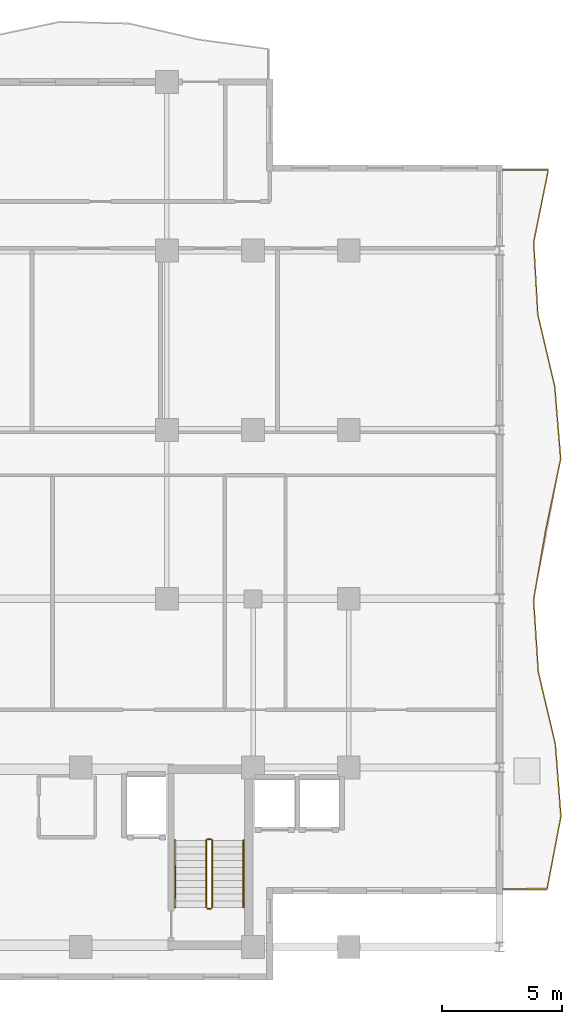
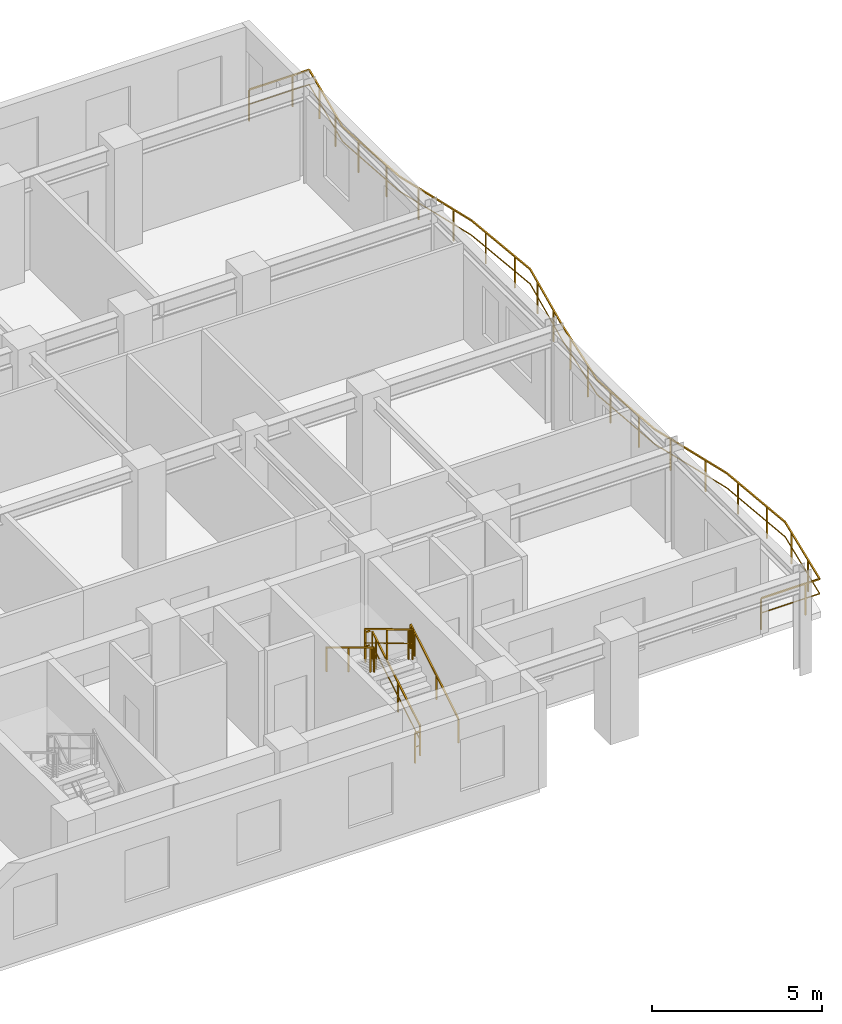
# One storey, part 13 of 14: 7 railings.
"""IFC4 building model written with IfcOpenShell, lengths in metres."""

from ifc_helpers import new_model, si_unit, direction, frame, origin, origin_2d, place, context, subcontext, project, spatial, rectangle, extrude, material, type_object, element, save


model = new_model("IFC4")

# Units and contexts
model_context = context("Model", 3, precision=1e-05, world=origin(), true_north=direction((0.0, 1.0)))
body_context = subcontext(model_context, "Body", "Model", "MODEL_VIEW")
ifc_project = project(units=[si_unit("LENGTHUNIT", "METRE"), si_unit("AREAUNIT", "SQUARE_METRE"), si_unit("VOLUMEUNIT", "CUBIC_METRE"), si_unit("PLANEANGLEUNIT", "RADIAN"), si_unit("MASSUNIT", "GRAM", prefix="KILO")], contexts=[model_context])

# Site, building, storey
site_placement = place(None, origin())
site = spatial("IfcSite", under=ifc_project, at=site_placement, CompositionType="ELEMENT")
building_placement = place(site_placement, origin())
building = spatial("IfcBuilding", under=site, at=building_placement, Name="Kaliganga Portal Commons", CompositionType="ELEMENT")
storey_placement = place(building_placement, frame((0.0, 0.0, 227.699951171875)))
storey = spatial("IfcBuildingStorey", under=building, at=storey_placement, Name="L58", CompositionType="ELEMENT", Elevation=227.699951171875)

# Railings
ifc_material_1 = material(Name="Laminated Safety Glass and Stainless Steel 316", Category="steel")
railing_type_1 = type_object("IfcRailingType", Name="RLG-BAL-1150", PredefinedType="BALUSTRADE", material=ifc_material_1)
railing_1_placement = place(storey_placement, frame((60.708984375, 9.4794921875, 0.0)))
element("IfcRailing", 1, at=railing_1_placement, inside=storey, type_object=railing_type_1, Name="Balcony Guardrail L58 balc_east", PredefinedType="BALUSTRADE", context=body_context, shape_type="SweptSolid", body=[
    extrude(rectangle(XDim=0.048095703125, YDim=0.048095703125, at=origin_2d()), frame((0.0, 0.0, 1.1259765625), z_axis=(0.999999969607, 0.000246548316, 0.0), x_axis=(-0.000246548316, 0.999999969607, 0.0)), (0.0, 0.0, 1.0), 1.98046875),
    extrude(rectangle(XDim=0.028076171875, YDim=0.028076171875, at=origin_2d()), frame((0.0, 0.0, 0.597900390625), z_axis=(0.999999969607, 0.000246548316, 0.0), x_axis=(-0.000246548316, 0.999999969607, 0.0)), (0.0, 0.0, 1.0), 1.98046875),
    extrude(rectangle(XDim=0.048095703125, YDim=0.048095703125, at=origin_2d()), frame((1.98046875, 0.00048828125, 1.1259765625), z_axis=(0.187495259421, 0.98226550774, 0.0), x_axis=(-0.98226550774, 0.187495259421, 0.0)), (0.0, 0.0, 1.0), 3.07421875),
    extrude(rectangle(XDim=0.028076171875, YDim=0.028076171875, at=origin_2d()), frame((1.98046875, 0.00048828125, 0.597900390625), z_axis=(0.187495259421, 0.98226550774, 0.0), x_axis=(-0.98226550774, 0.187495259421, 0.0)), (0.0, 0.0, 1.0), 3.07421875),
    extrude(rectangle(XDim=0.048095703125, YDim=0.048095703125, at=origin_2d()), frame((2.556884765625, 3.020263671875, 1.1259765625), z_axis=(-0.076252687559, 0.997088525478, 0.0), x_axis=(-0.997088525478, -0.076252687559, 0.0)), (0.0, 0.0, 1.0), 3.02880859375),
    extrude(rectangle(XDim=0.028076171875, YDim=0.028076171875, at=origin_2d()), frame((2.556884765625, 3.020263671875, 0.597900390625), z_axis=(-0.076252687559, 0.997088525478, 0.0), x_axis=(-0.997088525478, -0.076252687559, 0.0)), (0.0, 0.0, 1.0), 3.02880859375),
    extrude(rectangle(XDim=0.048095703125, YDim=0.048095703125, at=origin_2d()), frame((2.325927734375, 6.040283203125, 1.1259765625), z_axis=(-0.229797858528, 0.973238379954, 0.0), x_axis=(-0.973238379954, -0.229797858528, 0.0)), (0.0, 0.0, 1.0), 3.103271484375),
    extrude(rectangle(XDim=0.028076171875, YDim=0.028076171875, at=origin_2d()), frame((2.325927734375, 6.040283203125, 0.597900390625), z_axis=(-0.229797858528, 0.973238379954, 0.0), x_axis=(-0.973238379954, -0.229797858528, 0.0)), (0.0, 0.0, 1.0), 3.103271484375),
    extrude(rectangle(XDim=0.048095703125, YDim=0.048095703125, at=origin_2d()), frame((1.61279296875, 9.060546875, 1.1259765625), z_axis=(-0.064864326147, 0.997894092173, 0.0), x_axis=(-0.997894092173, -0.064864326147, 0.0)), (0.0, 0.0, 1.0), 3.026123046875),
    extrude(rectangle(XDim=0.028076171875, YDim=0.028076171875, at=origin_2d()), frame((1.61279296875, 9.060546875, 0.597900390625), z_axis=(-0.064864326147, 0.997894092173, 0.0), x_axis=(-0.997894092173, -0.064864326147, 0.0)), (0.0, 0.0, 1.0), 3.026123046875),
    extrude(rectangle(XDim=0.048095703125, YDim=0.048095703125, at=origin_2d()), frame((1.41650390625, 12.080322265625, 1.1259765625), z_axis=(0.171227240771, 0.985231562638, 0.0), x_axis=(-0.985231562638, 0.171227240771, 0.0)), (0.0, 0.0, 1.0), 2.984375),
    extrude(rectangle(XDim=0.028076171875, YDim=0.028076171875, at=origin_2d()), frame((1.41650390625, 12.080322265625, 0.597900390625), z_axis=(0.171227240771, 0.985231562638, 0.0), x_axis=(-0.985231562638, 0.171227240771, 0.0)), (0.0, 0.0, 1.0), 2.984375),
    extrude(rectangle(XDim=0.048095703125, YDim=0.048095703125, at=origin_2d()), frame((1.927490234375, 15.0205078125, 1.1259765625), z_axis=(0.206002299735, 0.978551507333, 0.0), x_axis=(-0.978551507333, 0.206002299735, 0.0)), (0.0, 0.0, 1.0), 3.0078125),
    extrude(rectangle(XDim=0.028076171875, YDim=0.028076171875, at=origin_2d()), frame((1.927490234375, 15.0205078125, 0.597900390625), z_axis=(0.206002299735, 0.978551507333, 0.0), x_axis=(-0.978551507333, 0.206002299735, 0.0)), (0.0, 0.0, 1.0), 3.0078125),
    extrude(rectangle(XDim=0.048095703125, YDim=0.048095703125, at=origin_2d()), frame((2.547119140625, 17.9638671875, 1.1259765625), z_axis=(-0.080895995771, 0.996722548089, 0.0), x_axis=(-0.996722548089, -0.080895995771, 0.0)), (0.0, 0.0, 1.0), 3.027099609375),
    extrude(rectangle(XDim=0.028076171875, YDim=0.028076171875, at=origin_2d()), frame((2.547119140625, 17.9638671875, 0.597900390625), z_axis=(-0.080895995771, 0.996722548089, 0.0), x_axis=(-0.996722548089, -0.080895995771, 0.0)), (0.0, 0.0, 1.0), 3.027099609375),
    extrude(rectangle(XDim=0.048095703125, YDim=0.048095703125, at=origin_2d()), frame((2.30224609375, 20.98095703125, 1.1259765625), z_axis=(-0.228806813317, 0.973471849711, 0.0), x_axis=(-0.973471849711, -0.228806813317, 0.0)), (0.0, 0.0, 1.0), 3.101806640625),
    extrude(rectangle(XDim=0.028076171875, YDim=0.028076171875, at=origin_2d()), frame((2.30224609375, 20.98095703125, 0.597900390625), z_axis=(-0.228806813317, 0.973471849711, 0.0), x_axis=(-0.973471849711, -0.228806813317, 0.0)), (0.0, 0.0, 1.0), 3.101806640625),
    extrude(rectangle(XDim=0.048095703125, YDim=0.048095703125, at=origin_2d()), frame((1.592529296875, 24.00048828125, 1.1259765625), z_axis=(-0.056900388168, 0.998379860487, 0.0), x_axis=(-0.998379860487, -0.056900388168, 0.0)), (0.0, 0.0, 1.0), 3.02490234375),
    extrude(rectangle(XDim=0.028076171875, YDim=0.028076171875, at=origin_2d()), frame((1.592529296875, 24.00048828125, 0.597900390625), z_axis=(-0.056900388168, 0.998379860487, 0.0), x_axis=(-0.998379860487, -0.056900388168, 0.0)), (0.0, 0.0, 1.0), 3.02490234375),
    extrude(rectangle(XDim=0.048095703125, YDim=0.048095703125, at=origin_2d()), frame((1.42041015625, 27.0205078125, 1.1259765625), z_axis=(0.198172829343, 0.98016709275, 0.0), x_axis=(-0.98016709275, 0.198172829343, 0.0)), (0.0, 0.0, 1.0), 3.0810546875),
    extrude(rectangle(XDim=0.028076171875, YDim=0.028076171875, at=origin_2d()), frame((1.42041015625, 27.0205078125, 0.597900390625), z_axis=(0.198172829343, 0.98016709275, 0.0), x_axis=(-0.98016709275, 0.198172829343, 0.0)), (0.0, 0.0, 1.0), 3.0810546875),
    extrude(rectangle(XDim=0.048095703125, YDim=0.048095703125, at=origin_2d()), frame((2.031005859375, 30.04052734375, 1.1259765625), z_axis=(-0.999999971101, 0.000240413504, 0.0), x_axis=(-0.000240413504, -0.999999971101, 0.0)), (0.0, 0.0, 1.0), 2.031005859375),
    extrude(rectangle(XDim=0.028076171875, YDim=0.028076171875, at=origin_2d()), frame((2.031005859375, 30.04052734375, 0.597900390625), z_axis=(-0.999999971101, 0.000240413504, 0.0), x_axis=(-0.000240413504, -0.999999971101, 0.0)), (0.0, 0.0, 1.0), 2.031005859375),
    extrude(rectangle(XDim=0.0419921875, YDim=0.0419921875, at=origin_2d()), origin(), (0.0, 0.0, 1.0), 1.101806640625),
    extrude(rectangle(XDim=0.0419921875, YDim=0.0419921875, at=origin_2d()), frame((1.5, 0.00048828125, 0.0)), (0.0, 0.0, 1.0), 1.101806640625),
    extrude(rectangle(XDim=0.0419921875, YDim=0.0419921875, at=origin_2d()), frame((2.171630859375, 1.001953125, 0.0)), (0.0, 0.0, 1.0), 1.101806640625),
    extrude(rectangle(XDim=0.0419921875, YDim=0.0419921875, at=origin_2d()), frame((2.452880859375, 2.475341796875, 0.0)), (0.0, 0.0, 1.0), 1.101806640625),
    extrude(rectangle(XDim=0.0419921875, YDim=0.0419921875, at=origin_2d()), frame((2.48486328125, 3.962646484375, 0.0)), (0.0, 0.0, 1.0), 1.101806640625),
    extrude(rectangle(XDim=0.0419921875, YDim=0.0419921875, at=origin_2d()), frame((2.370361328125, 5.45849609375, 0.0)), (0.0, 0.0, 1.0), 1.101806640625),
    extrude(rectangle(XDim=0.0419921875, YDim=0.0419921875, at=origin_2d()), frame((2.115234375, 6.93212890625, 0.0)), (0.0, 0.0, 1.0), 1.101806640625),
    extrude(rectangle(XDim=0.0419921875, YDim=0.0419921875, at=origin_2d()), frame((1.770751953125, 8.39208984375, 0.0)), (0.0, 0.0, 1.0), 1.101806640625),
    extrude(rectangle(XDim=0.0419921875, YDim=0.0419921875, at=origin_2d()), frame((1.56005859375, 9.871826171875, 0.0)), (0.0, 0.0, 1.0), 1.101806640625),
    extrude(rectangle(XDim=0.0419921875, YDim=0.0419921875, at=origin_2d()), frame((1.462646484375, 11.36865234375, 0.0)), (0.0, 0.0, 1.0), 1.101806640625),
    extrude(rectangle(XDim=0.0419921875, YDim=0.0419921875, at=origin_2d()), frame((1.55126953125, 12.855712890625, 0.0)), (0.0, 0.0, 1.0), 1.101806640625),
    extrude(rectangle(XDim=0.0419921875, YDim=0.0419921875, at=origin_2d()), frame((1.80810546875, 14.33349609375, 0.0)), (0.0, 0.0, 1.0), 1.101806640625),
    extrude(rectangle(XDim=0.0419921875, YDim=0.0419921875, at=origin_2d()), frame((2.0927734375, 15.805908203125, 0.0)), (0.0, 0.0, 1.0), 1.101806640625),
    extrude(rectangle(XDim=0.0419921875, YDim=0.0419921875, at=origin_2d()), frame((2.40185546875, 17.273681640625, 0.0)), (0.0, 0.0, 1.0), 1.101806640625),
    extrude(rectangle(XDim=0.0419921875, YDim=0.0419921875, at=origin_2d()), frame((2.48291015625, 18.756103515625, 0.0)), (0.0, 0.0, 1.0), 1.101806640625),
    extrude(rectangle(XDim=0.0419921875, YDim=0.0419921875, at=origin_2d()), frame((2.361572265625, 20.251220703125, 0.0)), (0.0, 0.0, 1.0), 1.101806640625),
    extrude(rectangle(XDim=0.0419921875, YDim=0.0419921875, at=origin_2d()), frame((2.12646484375, 21.728271484375, 0.0)), (0.0, 0.0, 1.0), 1.101806640625),
    extrude(rectangle(XDim=0.0419921875, YDim=0.0419921875, at=origin_2d()), frame((1.783447265625, 23.1884765625, 0.0)), (0.0, 0.0, 1.0), 1.101806640625),
    extrude(rectangle(XDim=0.0419921875, YDim=0.0419921875, at=origin_2d()), frame((1.5546875, 24.665283203125, 0.0)), (0.0, 0.0, 1.0), 1.101806640625),
    extrude(rectangle(XDim=0.0419921875, YDim=0.0419921875, at=origin_2d()), frame((1.46923828125, 26.162841796875, 0.0)), (0.0, 0.0, 1.0), 1.101806640625),
    extrude(rectangle(XDim=0.0419921875, YDim=0.0419921875, at=origin_2d()), frame((1.54736328125, 27.64892578125, 0.0)), (0.0, 0.0, 1.0), 1.101806640625),
    extrude(rectangle(XDim=0.0419921875, YDim=0.0419921875, at=origin_2d()), frame((1.8447265625, 29.119140625, 0.0)), (0.0, 0.0, 1.0), 1.101806640625),
    extrude(rectangle(XDim=0.0419921875, YDim=0.0419921875, at=origin_2d()), frame((1.47119140625, 30.040771484375, 0.0)), (0.0, 0.0, 1.0), 1.101806640625),
    extrude(rectangle(XDim=0.0419921875, YDim=0.0419921875, at=origin_2d()), frame((0.0, 30.041015625, 0.0)), (0.0, 0.0, 1.0), 1.101806640625),
])
ifc_material_2 = material(Name="Galvanized Painted Steel Balustrade", Category="steel")
railing_type_2 = type_object("IfcRailingType", Name="RLG-STAIR-GRD", PredefinedType="GUARDRAIL", material=ifc_material_2)
railing_2_placement = place(storey_placement, frame((48.699951171875, 8.699951171875, 0.168212890625)))
element("IfcRailing", 2, at=railing_2_placement, inside=storey, type_object=railing_type_2, Name="L58 ST-B2 stair guard 1", PredefinedType="GUARDRAIL", context=body_context, shape_type="SweptSolid", body=[
    extrude(rectangle(XDim=0.048095703125, YDim=0.048095703125, at=origin_2d()), frame((0.0, 0.0, 1.072021484375), z_axis=(0.0, 0.857242210791, 0.514913383045), x_axis=(-1.0, 0.0, 0.0)), (0.0, 0.0, 1.0), 3.266357421875),
    extrude(rectangle(XDim=0.028076171875, YDim=0.028076171875, at=origin_2d()), frame((0.0, 0.0, 0.572021484375), z_axis=(0.0, 0.857242210791, 0.514913383045), x_axis=(-1.0, 0.0, 0.0)), (0.0, 0.0, 1.0), 3.266357421875),
    extrude(rectangle(XDim=0.0419921875, YDim=0.0419921875, at=origin_2d()), origin(), (0.0, 0.0, 1.0), 1.052001953125),
    extrude(rectangle(XDim=0.0419921875, YDim=0.0419921875, at=origin_2d()), frame((0.0, 1.285888671875, 0.7724609375)), (0.0, 0.0, 1.0), 1.052001953125),
    extrude(rectangle(XDim=0.0419921875, YDim=0.0419921875, at=origin_2d()), frame((0.0, 2.57177734375, 1.544677734375)), (0.0, 0.0, 1.0), 1.052001953125),
    extrude(rectangle(XDim=0.0419921875, YDim=0.0419921875, at=origin_2d()), frame((0.0, 2.800048828125, 1.681884765625)), (0.0, 0.0, 1.0), 1.052001953125),
])
railing_3_placement = place(storey_placement, frame((48.64990234375, 11.550048828125, 1.85009765625)))
element("IfcRailing", 3, at=railing_3_placement, inside=storey, type_object=railing_type_2, Name="L58 ST-B2 stair guard 2", PredefinedType="GUARDRAIL", context=body_context, shape_type="SweptSolid", body=[
    extrude(rectangle(XDim=0.048095703125, YDim=0.048095703125, at=origin_2d()), frame((0.0, 0.0, 1.076171875), z_axis=(-1.0, 0.0, 0.0), x_axis=(0.0, -1.0, 0.0)), (0.0, 0.0, 1.0), 0.14990234375),
    extrude(rectangle(XDim=0.028076171875, YDim=0.028076171875, at=origin_2d()), frame((0.0, 0.0, 0.572021484375), z_axis=(-1.0, 0.0, 0.0), x_axis=(0.0, -1.0, 0.0)), (0.0, 0.0, 1.0), 0.14990234375),
    extrude(rectangle(XDim=0.0419921875, YDim=0.0419921875, at=origin_2d()), frame((-0.14990234375, 0.0, 0.0)), (0.0, 0.0, 1.0), 1.052001953125),
])
railing_4_placement = place(storey_placement, frame((48.449951171875, 11.5, 2.018310546875)))
element("IfcRailing", 4, at=railing_4_placement, inside=storey, type_object=railing_type_2, Name="L58 ST-B2 stair guard 3", PredefinedType="GUARDRAIL", context=body_context, shape_type="SweptSolid", body=[
    extrude(rectangle(XDim=0.048095703125, YDim=0.048095703125, at=origin_2d()), frame((0.0, 0.0, 1.072021484375), z_axis=(0.0, -0.857275202839, 0.514858452973), x_axis=(1.0, 0.0, 0.0)), (0.0, 0.0, 1.0), 3.26611328125),
    extrude(rectangle(XDim=0.028076171875, YDim=0.028076171875, at=origin_2d()), frame((0.0, 0.0, 0.572021484375), z_axis=(0.0, -0.857275202839, 0.514858452973), x_axis=(1.0, 0.0, 0.0)), (0.0, 0.0, 1.0), 3.26611328125),
    extrude(rectangle(XDim=0.0419921875, YDim=0.0419921875, at=origin_2d()), origin(), (0.0, 0.0, 1.0), 1.052001953125),
    extrude(rectangle(XDim=0.0419921875, YDim=0.0419921875, at=origin_2d()), frame((0.0, -1.285888671875, 0.772216796875)), (0.0, 0.0, 1.0), 1.052001953125),
    extrude(rectangle(XDim=0.0419921875, YDim=0.0419921875, at=origin_2d()), frame((0.0, -2.57177734375, 1.544677734375)), (0.0, 0.0, 1.0), 1.052001953125),
    extrude(rectangle(XDim=0.0419921875, YDim=0.0419921875, at=origin_2d()), frame((0.0, -2.800048828125, 1.681640625)), (0.0, 0.0, 1.0), 1.052001953125),
])
railing_5_placement = place(storey_placement, frame((48.64990234375, 8.64990234375, 0.0)))
element("IfcRailing", 5, at=railing_5_placement, inside=storey, type_object=railing_type_2, Name="L58 ST-B2 stair guard 4", PredefinedType="GUARDRAIL", context=body_context, shape_type="SweptSolid", body=[
    extrude(rectangle(XDim=0.048095703125, YDim=0.048095703125, at=origin_2d()), frame((0.0, 0.0, 1.076171875), z_axis=(-1.0, 0.0, 0.0), x_axis=(0.0, -1.0, 0.0)), (0.0, 0.0, 1.0), 0.14990234375),
    extrude(rectangle(XDim=0.028076171875, YDim=0.028076171875, at=origin_2d()), frame((0.0, 0.0, 0.572021484375), z_axis=(-1.0, 0.0, 0.0), x_axis=(0.0, -1.0, 0.0)), (0.0, 0.0, 1.0), 0.14990234375),
    extrude(rectangle(XDim=0.0419921875, YDim=0.0419921875, at=origin_2d()), frame((-0.14990234375, 0.0, 0.0)), (0.0, 0.0, 1.0), 1.052001953125),
])
ifc_material_3 = material(Name="Brushed Stainless Steel 316", Category="steel")
railing_type_3 = type_object("IfcRailingType", Name="RLG-STAIR-HR", PredefinedType="HANDRAIL", material=ifc_material_3)
railing_6_placement = place(storey_placement, frame((50.0, 8.699951171875, 0.168212890625)))
element("IfcRailing", 6, at=railing_6_placement, inside=storey, type_object=railing_type_3, Name="L58 ST-B2 stair handrail 1", PredefinedType="HANDRAIL", context=body_context, shape_type="SweptSolid", body=[
    extrude(rectangle(XDim=0.048095703125, YDim=0.048095703125, at=origin_2d()), frame((0.0, 0.0, 0.871826171875), z_axis=(0.0, 0.857242210791, 0.514913383045), x_axis=(-1.0, 0.0, 0.0)), (0.0, 0.0, 1.0), 3.266357421875),
    extrude(rectangle(XDim=0.0419921875, YDim=0.0419921875, at=origin_2d()), origin(), (0.0, 0.0, 1.0), 0.851806640625),
    extrude(rectangle(XDim=0.0419921875, YDim=0.0419921875, at=origin_2d()), frame((0.0, 1.285888671875, 0.7724609375)), (0.0, 0.0, 1.0), 0.851806640625),
    extrude(rectangle(XDim=0.0419921875, YDim=0.0419921875, at=origin_2d()), frame((0.0, 2.57177734375, 1.544677734375)), (0.0, 0.0, 1.0), 0.851806640625),
    extrude(rectangle(XDim=0.0419921875, YDim=0.0419921875, at=origin_2d()), frame((0.0, 2.800048828125, 1.681884765625)), (0.0, 0.0, 1.0), 0.851806640625),
])
railing_7_placement = place(storey_placement, frame((47.14990234375, 11.5, 2.018310546875)))
element("IfcRailing", 7, at=railing_7_placement, inside=storey, type_object=railing_type_3, Name="L58 ST-B2 stair handrail 2", PredefinedType="HANDRAIL", context=body_context, shape_type="SweptSolid", body=[
    extrude(rectangle(XDim=0.048095703125, YDim=0.048095703125, at=origin_2d()), frame((0.0, 0.0, 0.871826171875), z_axis=(0.0, -0.857275202839, 0.514858452973), x_axis=(1.0, 0.0, 0.0)), (0.0, 0.0, 1.0), 3.26611328125),
    extrude(rectangle(XDim=0.0419921875, YDim=0.0419921875, at=origin_2d()), origin(), (0.0, 0.0, 1.0), 0.851806640625),
    extrude(rectangle(XDim=0.0419921875, YDim=0.0419921875, at=origin_2d()), frame((0.0, -1.285888671875, 0.772216796875)), (0.0, 0.0, 1.0), 0.851806640625),
    extrude(rectangle(XDim=0.0419921875, YDim=0.0419921875, at=origin_2d()), frame((0.0, -2.57177734375, 1.544677734375)), (0.0, 0.0, 1.0), 0.851806640625),
    extrude(rectangle(XDim=0.0419921875, YDim=0.0419921875, at=origin_2d()), frame((0.0, -2.800048828125, 1.681640625)), (0.0, 0.0, 1.0), 0.851806640625),
])

save(model, "model.ifc")
